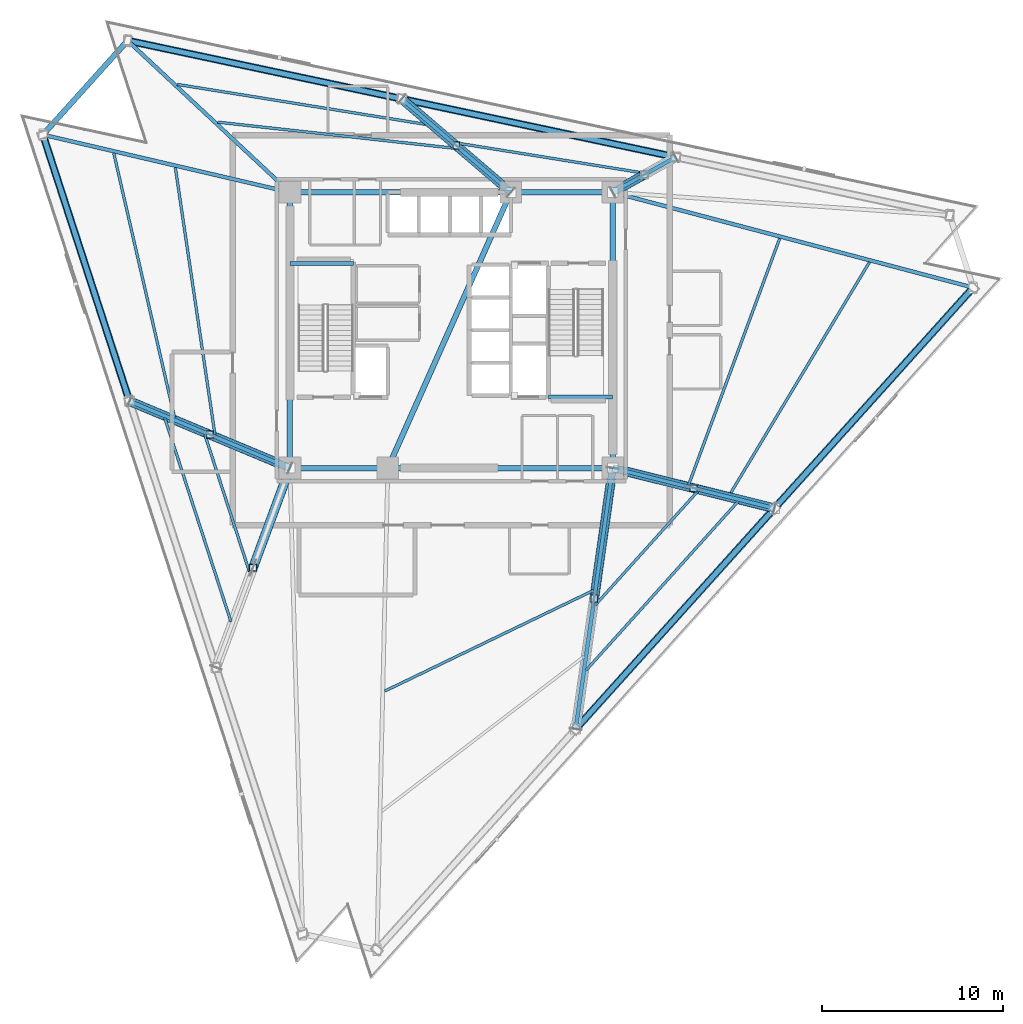
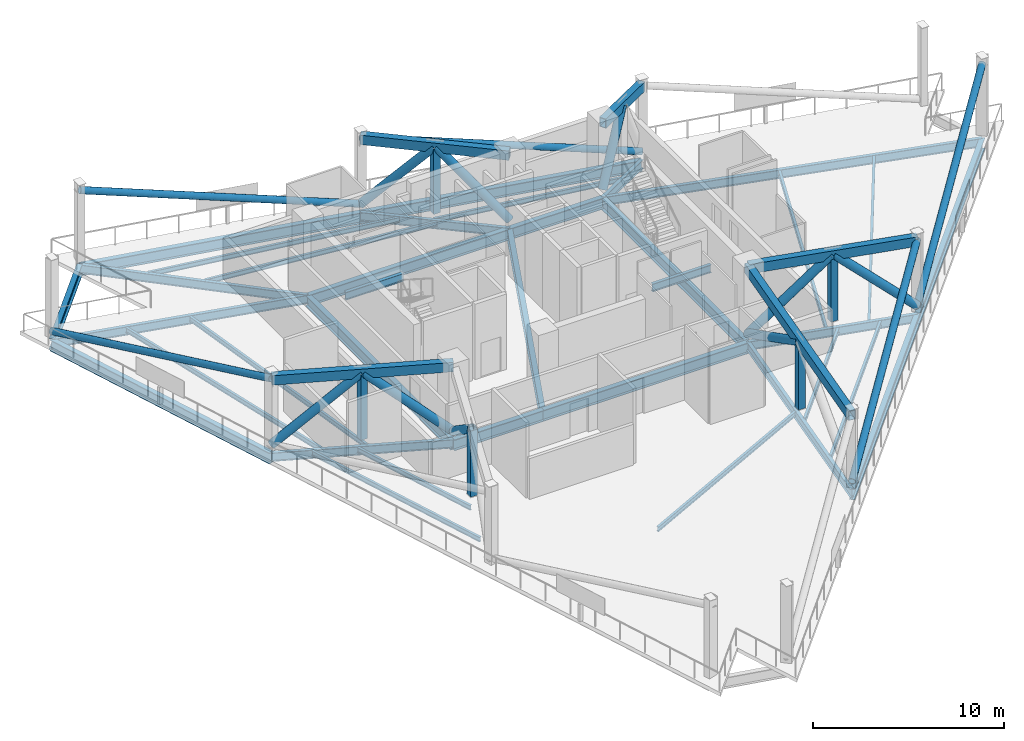
# One storey, part 2 of 15: 35 beams, 24 members.
"""IFC4 building model written with IfcOpenShell, lengths in metres."""

from ifc_helpers import new_model, si_unit, direction, frame, origin, origin_2d, place, context, subcontext, project, spatial, hollow_rectangle, hollow_circle, i_section, extrude, material, material_profile, profile_set, type_object, element, save


model = new_model("IFC4")

# Units and contexts
model_context = context("Model", 3, precision=1e-05, world=origin(), true_north=direction((0.0, 1.0)))
body_context = subcontext(model_context, "Body", "Model", "MODEL_VIEW")
ifc_project = project(units=[si_unit("LENGTHUNIT", "METRE"), si_unit("AREAUNIT", "SQUARE_METRE"), si_unit("VOLUMEUNIT", "CUBIC_METRE"), si_unit("PLANEANGLEUNIT", "RADIAN"), si_unit("MASSUNIT", "GRAM", prefix="KILO")], contexts=[model_context])

# Site, building, storey
site_placement = place(None, origin())
site = spatial("IfcSite", under=ifc_project, at=site_placement, CompositionType="ELEMENT")
building_placement = place(site_placement, origin())
building = spatial("IfcBuilding", under=site, at=building_placement, Name="Tharavind Bronze Gate", CompositionType="ELEMENT")
storey_placement = place(building_placement, frame((0.0, 0.0, 222.050048828125)))
storey = spatial("IfcBuildingStorey", under=building, at=storey_placement, Name="L57", CompositionType="ELEMENT", Elevation=222.050048828125)

# Members
ifc_material_1 = material(Name="Steel S460", Category="steel")
ifc_material_profile_1 = material_profile(ifc_material_1, hollow_circle(Radius=0.203125, WallThickness=0.02001953125, at=origin_2d()), Name="CHS406X20")
ifc_profile_set_1 = profile_set([ifc_material_profile_1], Name="Steel S460")
member_type_1 = type_object("IfcMemberType", Name="BELT TRUSS BRACE CHS406", PredefinedType="BRACE", material=ifc_profile_set_1)
member_1_placement = place(storey_placement, frame((-22.515380859375, 10.77685546875, 0.25), z_axis=(0.298129606941, -0.917584643227, 0.262977489493), x_axis=(0.951060085279, 0.309006009957, 0.0)))
element("IfcMember", 1, at=member_1_placement, inside=storey, type_object=member_type_1, Name="L57 belt truss brace 1.1", PredefinedType="BRACE", context=body_context, shape_type="SweptSolid", body=[
    extrude(hollow_circle(Radius=0.203125, WallThickness=0.02001953125, at=origin_2d()), origin(), (0.0, 0.0, 1.0), 16.0087890625),
])
for number, where, z_axis, x_axis, name in (
    (2, (6.857421875, -21.992431640625, 0.25), (0.648062389403, 0.719737226223, 0.248984868277), (-0.743140676906, 0.669135213786, 0.0), "L57 belt truss brace 2.2"),
    (3, (17.815185546875, -9.82275390625, 0.25), (0.648047279671, 0.719750920125, 0.248984610549), (-0.743154765248, 0.669119566961, 0.0), "L57 belt truss brace 2.3"),
):
    element("IfcMember", number, at=place(storey_placement, frame(where, z_axis=z_axis, x_axis=x_axis)), inside=storey, type_object=member_type_1, Name=name, PredefinedType="BRACE", context=body_context, shape_type="SweptSolid", body=[
        extrude(hollow_circle(Radius=0.203125, WallThickness=0.02001953125, at=origin_2d()), origin(), (0.0, 0.0, 1.0), 16.908447265625),
    ])
for number, where, z_axis, x_axis, name in (
    (4, (12.370849609375, 9.54150390625, 0.25), (-0.943720308557, 0.200587460303, 0.26297651984), (-0.207905261111, -0.978148967388, 0.0), "L57 belt truss brace 3.2"),
    (5, (-2.737060546875, 12.752685546875, 0.25), (-0.943720308557, 0.200587460303, 0.26297651984), (-0.207905261111, -0.978148967388, 0.0), "L57 belt truss brace 3.3"),
):
    element("IfcMember", number, at=place(storey_placement, frame(where, z_axis=z_axis, x_axis=x_axis)), inside=storey, type_object=member_type_1, Name=name, PredefinedType="BRACE", context=body_context, shape_type="SweptSolid", body=[
        extrude(hollow_circle(Radius=0.203125, WallThickness=0.02001953125, at=origin_2d()), origin(), (0.0, 0.0, 1.0), 16.0087890625),
    ])
ifc_material_profile_2 = material_profile(ifc_material_1, hollow_rectangle(XDim=0.39990234375, YDim=0.60009765625, WallThickness=0.030029296875, at=origin_2d()), Name="RHS600X400X30")
ifc_profile_set_2 = profile_set([ifc_material_profile_2], Name="Steel S460")
member_type_2 = type_object("IfcMemberType", Name="OUTRIGGER CHORD RHS600", PredefinedType="CHORD", material=ifc_profile_set_2)
member_2_placement = place(storey_placement, frame((-8.89990234375, -7.60009765625, 4.4599609375), z_axis=(-0.922965305367, 0.38488315771, 0.0), x_axis=(-0.38488315771, -0.922965305367, 0.0)))
element("IfcMember", 6, at=member_2_placement, inside=storey, type_object=member_type_2, Name="L57 outrigger top chord 1", PredefinedType="CHORD", context=body_context, shape_type="SweptSolid", body=[
    extrude(hollow_rectangle(XDim=0.39990234375, YDim=0.60009765625, WallThickness=0.030029296875, at=origin_2d()), origin(), (0.0, 0.0, 1.0), 9.580810546875),
])
member_3_placement = place(storey_placement, frame((8.89990234375, -7.60009765625, 4.4599609375), z_axis=(-0.140506642307, -0.990079735914, 0.0), x_axis=(0.990079735914, -0.140506642307, 0.0)))
element("IfcMember", 7, at=member_3_placement, inside=storey, type_object=member_type_2, Name="L57 outrigger top chord 3", PredefinedType="CHORD", context=body_context, shape_type="SweptSolid", body=[
    extrude(hollow_rectangle(XDim=0.39990234375, YDim=0.60009765625, WallThickness=0.030029296875, at=origin_2d()), origin(), (0.0, 0.0, 1.0), 14.53662109375),
])
member_4_placement = place(storey_placement, frame((8.89990234375, -7.60009765625, 4.4599609375), z_axis=(0.970300158772, -0.241904117136, 0.0), x_axis=(0.241904117136, 0.970300158772, 0.0)))
element("IfcMember", 8, at=member_4_placement, inside=storey, type_object=member_type_2, Name="L57 outrigger top chord 4", PredefinedType="CHORD", context=body_context, shape_type="SweptSolid", body=[
    extrude(hollow_rectangle(XDim=0.39990234375, YDim=0.60009765625, WallThickness=0.030029296875, at=origin_2d()), origin(), (0.0, 0.0, 1.0), 9.188232421875),
])
member_5_placement = place(storey_placement, frame((8.89990234375, 7.60009765625, 4.4599609375), z_axis=(0.872755044117, 0.488158409708, 0.0), x_axis=(-0.488158409708, 0.872755044117, 0.0)))
element("IfcMember", 9, at=member_5_placement, inside=storey, type_object=member_type_2, Name="L57 outrigger top chord 5", PredefinedType="CHORD", context=body_context, shape_type="SweptSolid", body=[
    extrude(hollow_rectangle(XDim=0.39990234375, YDim=0.60009765625, WallThickness=0.030029296875, at=origin_2d()), origin(), (0.0, 0.0, 1.0), 3.97705078125),
])
member_6_placement = place(storey_placement, frame((3.280029296875, 7.60009765625, 4.4599609375), z_axis=(-0.75956325699, 0.650433439048, 0.0), x_axis=(-0.650433439048, -0.75956325699, 0.0)))
element("IfcMember", 10, at=member_6_placement, inside=storey, type_object=member_type_2, Name="L57 outrigger top chord 6", PredefinedType="CHORD", context=body_context, shape_type="SweptSolid", body=[
    extrude(hollow_rectangle(XDim=0.39990234375, YDim=0.60009765625, WallThickness=0.030029296875, at=origin_2d()), origin(), (0.0, 0.0, 1.0), 7.921875),
])
ifc_material_profile_3 = material_profile(ifc_material_1, hollow_circle(Radius=0.25390625, WallThickness=0.031982421875, at=origin_2d()), Name="CHS508X32")
ifc_profile_set_3 = profile_set([ifc_material_profile_3], Name="Steel S460")
member_type_3 = type_object("IfcMemberType", Name="OUTRIGGER DIAGONAL BRACE CHS508", PredefinedType="BRACE", material=ifc_profile_set_3)
for number, where, z_axis, x_axis, name in (
    (11, (-8.89990234375, -7.60009765625, 0.25), (-0.693284613686, 0.28910466055, 0.660132516753), (-0.38488315771, -0.922965305367, 0.0), "L57 outrigger diagonal brace 1.1"),
    (12, (-13.3212890625, -5.75634765625, 4.4599609375), (-0.693284613686, 0.28910466055, -0.660132516753), (-0.38488315771, -0.922965305367, 0.0), "L57 outrigger diagonal brace 1.2"),
):
    element("IfcMember", number, at=place(storey_placement, frame(where, z_axis=z_axis, x_axis=x_axis)), inside=storey, type_object=member_type_3, Name=name, PredefinedType="BRACE", context=body_context, shape_type="SweptSolid", body=[
        extrude(hollow_circle(Radius=0.25390625, WallThickness=0.031982421875, at=origin_2d()), origin(), (0.0, 0.0, 1.0), 6.37744140625),
    ])
member_7_placement = place(storey_placement, frame((-8.89990234375, -7.60009765625, 0.25), z_axis=(-0.281851942833, -0.761930171074, 0.583113965472), x_axis=(0.937886765995, -0.34694151405, 0.0)))
element("IfcMember", 13, at=member_7_placement, inside=storey, type_object=member_type_3, Name="L57 outrigger diagonal brace 2.1", PredefinedType="BRACE", context=body_context, shape_type="SweptSolid", body=[
    extrude(hollow_circle(Radius=0.25390625, WallThickness=0.031982421875, at=origin_2d()), origin(), (0.0, 0.0, 1.0), 7.2197265625),
])
member_8_placement = place(storey_placement, frame((8.89990234375, -7.60009765625, 0.25), z_axis=(-0.121582009012, -0.85674188325, 0.501209697203), x_axis=(0.990080067474, -0.140504305952, 0.0)))
element("IfcMember", 14, at=member_8_placement, inside=storey, type_object=member_type_3, Name="L57 outrigger diagonal brace 3.1", PredefinedType="BRACE", context=body_context, shape_type="SweptSolid", body=[
    extrude(hollow_circle(Radius=0.25390625, WallThickness=0.031982421875, at=origin_2d()), origin(), (0.0, 0.0, 1.0), 8.399658203125),
])
member_9_placement = place(storey_placement, frame((8.89990234375, -7.60009765625, 0.25), z_axis=(0.715355781746, -0.178310010008, 0.675626854005), x_axis=(0.241860319361, 0.970311076881, 0.0)))
element("IfcMember", 15, at=member_9_placement, inside=storey, type_object=member_type_3, Name="L57 outrigger diagonal brace 4.1", PredefinedType="BRACE", context=body_context, shape_type="SweptSolid", body=[
    extrude(hollow_circle(Radius=0.25390625, WallThickness=0.031982421875, at=origin_2d()), origin(), (0.0, 0.0, 1.0), 6.231201171875),
])
member_10_placement = place(storey_placement, frame((13.357421875, -8.711181640625, 4.4599609375), z_axis=(0.715364914391, -0.178380878209, -0.675598476573), x_axis=(0.241947911034, 0.970289239529, 0.0)))
element("IfcMember", 16, at=member_10_placement, inside=storey, type_object=member_type_3, Name="L57 outrigger diagonal brace 4.2", PredefinedType="BRACE", context=body_context, shape_type="SweptSolid", body=[
    extrude(hollow_circle(Radius=0.25390625, WallThickness=0.031982421875, at=origin_2d()), origin(), (0.0, 0.0, 1.0), 6.2314453125),
])
member_11_placement = place(storey_placement, frame((8.89990234375, 7.60009765625, 0.25), z_axis=(0.372765468104, 0.208484386156, 0.9042013971), x_axis=(-0.488132256924, 0.872769671649, 0.0)))
element("IfcMember", 17, at=member_11_placement, inside=storey, type_object=member_type_3, Name="L57 outrigger diagonal brace 5.1", PredefinedType="BRACE", context=body_context, shape_type="SweptSolid", body=[
    extrude(hollow_circle(Radius=0.25390625, WallThickness=0.031982421875, at=origin_2d()), origin(), (0.0, 0.0, 1.0), 4.656005859375),
])
member_12_placement = place(storey_placement, frame((3.280029296875, 7.60009765625, 0.25), z_axis=(-0.520483211124, 0.445681964114, 0.728330154396), x_axis=(-0.650415657954, -0.759578483034, 0.0)))
element("IfcMember", 18, at=member_12_placement, inside=storey, type_object=member_type_3, Name="L57 outrigger diagonal brace 6.1", PredefinedType="BRACE", context=body_context, shape_type="SweptSolid", body=[
    extrude(hollow_circle(Radius=0.25390625, WallThickness=0.031982421875, at=origin_2d()), origin(), (0.0, 0.0, 1.0), 5.7802734375),
])
member_13_placement = place(storey_placement, frame((0.271484375, 10.17626953125, 4.4599609375), z_axis=(-0.520473413283, 0.445715810304, -0.728316443938), x_axis=(-0.650451219072, -0.75954803114, 0.0)))
element("IfcMember", 19, at=member_13_placement, inside=storey, type_object=member_type_3, Name="L57 outrigger diagonal brace 6.2", PredefinedType="BRACE", context=body_context, shape_type="SweptSolid", body=[
    extrude(hollow_circle(Radius=0.25390625, WallThickness=0.031982421875, at=origin_2d()), origin(), (0.0, 0.0, 1.0), 5.780517578125),
])
ifc_material_profile_4 = material_profile(ifc_material_1, hollow_rectangle(XDim=0.39990234375, YDim=0.39990234375, WallThickness=0.02490234375, at=origin_2d()), Name="SHS400X25")
ifc_profile_set_4 = profile_set([ifc_material_profile_4], Name="Steel S460")
member_type_4 = type_object("IfcMemberType", Name="OUTRIGGER VERTICAL STRUT SHS400", PredefinedType="STRUT", material=ifc_profile_set_4)
for number, where, z_axis, x_axis, name in (
    (20, (-13.3212890625, -5.75634765625, 0.25), (0.0, 0.0, 1.0), (1.0, 0.0, 0.0), "L57 outrigger vertical strut 1"),
    (21, (-10.934814453125, -13.10107421875, 0.25), (0.0, 0.0, 1.0), (1.0, 0.0, 0.0), "L57 outrigger vertical strut 2"),
    (22, (7.878662109375, -14.79638671875, 0.25), (0.0, 0.0, 1.0), (1.0, 0.0, 0.0), "L57 outrigger vertical strut 3"),
    (23, (13.357421875, -8.711181640625, 0.25), (0.0, 0.0, 1.0), (1.0, 0.0, 0.0), "L57 outrigger vertical strut 4"),
    (24, (0.271484375, 10.17626953125, 0.25), (0.0, 0.0, 1.0), (1.0, 0.0, 0.0), "L57 outrigger vertical strut 6"),
):
    element("IfcMember", number, at=place(storey_placement, frame(where, z_axis=z_axis, x_axis=x_axis)), inside=storey, type_object=member_type_4, Name=name, PredefinedType="STRUT", context=body_context, shape_type="SweptSolid", body=[
        extrude(hollow_rectangle(XDim=0.39990234375, YDim=0.39990234375, WallThickness=0.02490234375, at=origin_2d()), origin(), (0.0, 0.0, 1.0), 4.2099609375),
    ])

# Beams
ifc_material_2 = material(Name="Steel S355", Category="steel")
ifc_material_profile_5 = material_profile(ifc_material_2, i_section(OverallWidth=0.199951171875, OverallDepth=0.5, WebThickness=0.01025390625, FlangeThickness=0.01611328125, at=origin_2d()), Name="IPE500")
ifc_profile_set_5 = profile_set([ifc_material_profile_5], Name="Steel S355")
beam_type_1 = type_object("IfcBeamType", Name="PRIMARY GIRDER IPE500", PredefinedType="USERDEFINED", material=ifc_profile_set_5)
beam_1_placement = place(storey_placement, frame((-8.89990234375, 3.679931640625, 2.050048828125), z_axis=(1.0, 0.0, 0.0), x_axis=(0.0, 1.0, 0.0)))
element("IfcBeam", 25, at=beam_1_placement, inside=storey, type_object=beam_type_1, Name="L57 primary girder ipe500 BM-LD-ST1-L57-1", ObjectType="GIRDER", PredefinedType="USERDEFINED", context=body_context, shape_type="SweptSolid", body=[
    extrude(i_section(OverallWidth=0.199951171875, OverallDepth=0.5, WebThickness=0.01025390625, FlangeThickness=0.01611328125, at=origin_2d()), origin(), (0.0, 0.0, 1.0), 3.5),
])
beam_2_placement = place(storey_placement, frame((5.35009765625, -3.679931640625, 2.050048828125), z_axis=(1.0, 0.0, 0.0), x_axis=(0.0, 1.0, 0.0)))
element("IfcBeam", 26, at=beam_2_placement, inside=storey, type_object=beam_type_1, Name="L57 primary girder ipe500 BM-LD-ST2-L57-1", ObjectType="GIRDER", PredefinedType="USERDEFINED", context=body_context, shape_type="SweptSolid", body=[
    extrude(i_section(OverallWidth=0.199951171875, OverallDepth=0.5, WebThickness=0.01025390625, FlangeThickness=0.01611328125, at=origin_2d()), origin(), (0.0, 0.0, 1.0), 3.5498046875),
])
ifc_material_profile_6 = material_profile(ifc_material_2, i_section(OverallWidth=0.2099609375, OverallDepth=0.550048828125, WebThickness=0.010986328125, FlangeThickness=0.01708984375, at=origin_2d()), Name="IPE550")
ifc_profile_set_6 = profile_set([ifc_material_profile_6], Name="Steel S355")
beam_type_2 = type_object("IfcBeamType", Name="PRIMARY GIRDER IPE550", PredefinedType="USERDEFINED", material=ifc_profile_set_6)
beam_3_placement = place(storey_placement, frame((-22.515380859375, 10.77685546875, -0.51513671875), z_axis=(0.973844172145, -0.227216919219, 0.0), x_axis=(0.227216919219, 0.973844172145, 0.0)))
element("IfcBeam", 27, at=beam_3_placement, inside=storey, type_object=beam_type_2, Name="L57 primary girder ipe550 BM-L57-RAD01", ObjectType="GIRDER", PredefinedType="USERDEFINED", context=body_context, shape_type="SweptSolid", body=[
    extrude(i_section(OverallWidth=0.2099609375, OverallDepth=0.550048828125, WebThickness=0.010986328125, FlangeThickness=0.01708984375, at=origin_2d()), origin(), (0.0, 0.0, 1.0), 13.981201171875),
])
beam_4_placement = place(storey_placement, frame((-17.74267578125, -3.91259765625, -0.51513671875), z_axis=(0.922965305367, -0.38488315771, 0.0), x_axis=(0.38488315771, 0.922965305367, 0.0)))
element("IfcBeam", 28, at=beam_4_placement, inside=storey, type_object=beam_type_2, Name="L57 primary girder ipe550 BM-L57-RAD02", ObjectType="GIRDER", PredefinedType="USERDEFINED", context=body_context, shape_type="SweptSolid", body=[
    extrude(i_section(OverallWidth=0.2099609375, OverallDepth=0.550048828125, WebThickness=0.010986328125, FlangeThickness=0.01708984375, at=origin_2d()), origin(), (0.0, 0.0, 1.0), 9.580810546875),
])
beam_5_placement = place(storey_placement, frame((6.857421875, -21.992431640625, -0.51513671875), z_axis=(0.140506642307, 0.990079735914, 0.0), x_axis=(-0.990079735914, 0.140506642307, 0.0)))
element("IfcBeam", 29, at=beam_5_placement, inside=storey, type_object=beam_type_2, Name="L57 primary girder ipe550 BM-L57-RAD06", ObjectType="GIRDER", PredefinedType="USERDEFINED", context=body_context, shape_type="SweptSolid", body=[
    extrude(i_section(OverallWidth=0.2099609375, OverallDepth=0.550048828125, WebThickness=0.010986328125, FlangeThickness=0.01708984375, at=origin_2d()), origin(), (0.0, 0.0, 1.0), 14.53662109375),
])
beam_6_placement = place(storey_placement, frame((17.815185546875, -9.82275390625, -0.51513671875), z_axis=(-0.970300158772, 0.241904117136, 0.0), x_axis=(-0.241904117136, -0.970300158772, 0.0)))
element("IfcBeam", 30, at=beam_6_placement, inside=storey, type_object=beam_type_2, Name="L57 primary girder ipe550 BM-L57-RAD07", ObjectType="GIRDER", PredefinedType="USERDEFINED", context=body_context, shape_type="SweptSolid", body=[
    extrude(i_section(OverallWidth=0.2099609375, OverallDepth=0.550048828125, WebThickness=0.010986328125, FlangeThickness=0.01708984375, at=origin_2d()), origin(), (0.0, 0.0, 1.0), 9.188232421875),
])
beam_7_placement = place(storey_placement, frame((28.772705078125, 2.34716796875, -0.51513671875), z_axis=(-0.966795643793, 0.255550744749, 0.0), x_axis=(-0.255550744749, -0.966795643793, 0.0)))
element("IfcBeam", 31, at=beam_7_placement, inside=storey, type_object=beam_type_2, Name="L57 primary girder ipe550 BM-L57-RAD08", ObjectType="GIRDER", PredefinedType="USERDEFINED", context=body_context, shape_type="SweptSolid", body=[
    extrude(i_section(OverallWidth=0.2099609375, OverallDepth=0.550048828125, WebThickness=0.010986328125, FlangeThickness=0.01708984375, at=origin_2d()), origin(), (0.0, 0.0, 1.0), 20.555419921875),
])
beam_8_placement = place(storey_placement, frame((12.370849609375, 9.54150390625, -0.51513671875), z_axis=(-0.872755044117, -0.488158409708, 0.0), x_axis=(0.488158409708, -0.872755044117, 0.0)))
element("IfcBeam", 32, at=beam_8_placement, inside=storey, type_object=beam_type_2, Name="L57 primary girder ipe550 BM-L57-RAD10", ObjectType="GIRDER", PredefinedType="USERDEFINED", context=body_context, shape_type="SweptSolid", body=[
    extrude(i_section(OverallWidth=0.2099609375, OverallDepth=0.550048828125, WebThickness=0.010986328125, FlangeThickness=0.01708984375, at=origin_2d()), origin(), (0.0, 0.0, 1.0), 3.97705078125),
])
beam_9_placement = place(storey_placement, frame((-2.737060546875, 12.752685546875, -0.51513671875), z_axis=(0.75956325699, -0.650433439048, 0.0), x_axis=(0.650433439048, 0.75956325699, 0.0)))
element("IfcBeam", 33, at=beam_9_placement, inside=storey, type_object=beam_type_2, Name="L57 primary girder ipe550 BM-L57-RAD11", ObjectType="GIRDER", PredefinedType="USERDEFINED", context=body_context, shape_type="SweptSolid", body=[
    extrude(i_section(OverallWidth=0.2099609375, OverallDepth=0.550048828125, WebThickness=0.010986328125, FlangeThickness=0.01708984375, at=origin_2d()), origin(), (0.0, 0.0, 1.0), 7.921875),
])
beam_10_placement = place(storey_placement, frame((-17.844970703125, 15.9638671875, -0.51513671875), z_axis=(0.730442397204, -0.682974307252, 0.0), x_axis=(0.682974307252, 0.730442397204, 0.0)))
element("IfcBeam", 34, at=beam_10_placement, inside=storey, type_object=beam_type_2, Name="L57 primary girder ipe550 BM-L57-RAD12", ObjectType="GIRDER", PredefinedType="USERDEFINED", context=body_context, shape_type="SweptSolid", body=[
    extrude(i_section(OverallWidth=0.2099609375, OverallDepth=0.550048828125, WebThickness=0.010986328125, FlangeThickness=0.01708984375, at=origin_2d()), origin(), (0.0, 0.0, 1.0), 12.24609375),
])
ifc_material_profile_7 = material_profile(ifc_material_2, i_section(OverallWidth=0.300048828125, OverallDepth=0.699951171875, WebThickness=0.01708984375, FlangeThickness=0.031982421875, at=origin_2d()), Name="HE700B")
ifc_profile_set_7 = profile_set([ifc_material_profile_7], Name="Steel S355")
beam_type_3 = type_object("IfcBeamType", Name="RING GIRDER HE700B", PredefinedType="USERDEFINED", material=ifc_profile_set_7)
beam_11_placement = place(storey_placement, frame((-8.89990234375, -7.60009765625, -0.590087890625), z_axis=(1.0, 0.0, 0.0), x_axis=(0.0, 1.0, 0.0)))
element("IfcBeam", 35, at=beam_11_placement, inside=storey, type_object=beam_type_3, Name="L57 ring girder he700b BM-L57-CR1", ObjectType="GIRDER", PredefinedType="USERDEFINED", context=body_context, shape_type="SweptSolid", body=[
    extrude(i_section(OverallWidth=0.300048828125, OverallDepth=0.699951171875, WebThickness=0.01708984375, FlangeThickness=0.031982421875, at=origin_2d()), origin(), (0.0, 0.0, 1.0), 5.39990234375),
])
beam_12_placement = place(storey_placement, frame((-3.5, -7.60009765625, -0.590087890625), z_axis=(1.0, 0.0, 0.0), x_axis=(0.0, 1.0, 0.0)))
element("IfcBeam", 36, at=beam_12_placement, inside=storey, type_object=beam_type_3, Name="L57 ring girder he700b BM-L57-CR2", ObjectType="GIRDER", PredefinedType="USERDEFINED", context=body_context, shape_type="SweptSolid", body=[
    extrude(i_section(OverallWidth=0.300048828125, OverallDepth=0.699951171875, WebThickness=0.01708984375, FlangeThickness=0.031982421875, at=origin_2d()), origin(), (0.0, 0.0, 1.0), 12.39990234375),
])
beam_13_placement = place(storey_placement, frame((8.89990234375, -7.60009765625, -0.590087890625), z_axis=(0.0, 1.0, 0.0), x_axis=(-1.0, 0.0, 0.0)))
element("IfcBeam", 37, at=beam_13_placement, inside=storey, type_object=beam_type_3, Name="L57 ring girder he700b BM-L57-CR3", ObjectType="GIRDER", PredefinedType="USERDEFINED", context=body_context, shape_type="SweptSolid", body=[
    extrude(i_section(OverallWidth=0.300048828125, OverallDepth=0.699951171875, WebThickness=0.01708984375, FlangeThickness=0.031982421875, at=origin_2d()), origin(), (0.0, 0.0, 1.0), 15.2001953125),
])
beam_14_placement = place(storey_placement, frame((8.89990234375, 7.60009765625, -0.590087890625), z_axis=(-1.0, 0.0, 0.0), x_axis=(0.0, -1.0, 0.0)))
element("IfcBeam", 38, at=beam_14_placement, inside=storey, type_object=beam_type_3, Name="L57 ring girder he700b BM-L57-CR4", ObjectType="GIRDER", PredefinedType="USERDEFINED", context=body_context, shape_type="SweptSolid", body=[
    extrude(i_section(OverallWidth=0.300048828125, OverallDepth=0.699951171875, WebThickness=0.01708984375, FlangeThickness=0.031982421875, at=origin_2d()), origin(), (0.0, 0.0, 1.0), 5.619873046875),
])
beam_15_placement = place(storey_placement, frame((3.280029296875, 7.60009765625, -0.590087890625), z_axis=(-1.0, 0.0, 0.0), x_axis=(0.0, -1.0, 0.0)))
element("IfcBeam", 39, at=beam_15_placement, inside=storey, type_object=beam_type_3, Name="L57 ring girder he700b BM-L57-CR5", ObjectType="GIRDER", PredefinedType="USERDEFINED", context=body_context, shape_type="SweptSolid", body=[
    extrude(i_section(OverallWidth=0.300048828125, OverallDepth=0.699951171875, WebThickness=0.01708984375, FlangeThickness=0.031982421875, at=origin_2d()), origin(), (0.0, 0.0, 1.0), 12.179931640625),
])
beam_16_placement = place(storey_placement, frame((-8.89990234375, 7.60009765625, -0.590087890625), z_axis=(0.0, -1.0, 0.0), x_axis=(1.0, 0.0, 0.0)))
element("IfcBeam", 40, at=beam_16_placement, inside=storey, type_object=beam_type_3, Name="L57 ring girder he700b BM-L57-CR6", ObjectType="GIRDER", PredefinedType="USERDEFINED", context=body_context, shape_type="SweptSolid", body=[
    extrude(i_section(OverallWidth=0.300048828125, OverallDepth=0.699951171875, WebThickness=0.01708984375, FlangeThickness=0.031982421875, at=origin_2d()), origin(), (0.0, 0.0, 1.0), 15.2001953125),
])
beam_17_placement = place(storey_placement, frame((-3.5, -7.60009765625, -0.590087890625), z_axis=(0.407361644566, 0.913266932795, 0.0), x_axis=(-0.913266932795, 0.407361644566, 0.0)))
element("IfcBeam", 41, at=beam_17_placement, inside=storey, type_object=beam_type_3, Name="L57 ring girder he700b BM-L57-CR7", ObjectType="GIRDER", PredefinedType="USERDEFINED", context=body_context, shape_type="SweptSolid", body=[
    extrude(i_section(OverallWidth=0.300048828125, OverallDepth=0.699951171875, WebThickness=0.01708984375, FlangeThickness=0.031982421875, at=origin_2d()), origin(), (0.0, 0.0, 1.0), 16.643798828125),
])
beam_18_placement = place(storey_placement, frame((-22.515380859375, 10.77685546875, -0.590087890625), z_axis=(0.309006009957, -0.951060085279, 0.0), x_axis=(0.951060085279, 0.309006009957, 0.0)))
element("IfcBeam", 42, at=beam_18_placement, inside=storey, type_object=beam_type_3, Name="L57 ring girder he700b BM-L57-PRG01", ObjectType="GIRDER", PredefinedType="USERDEFINED", context=body_context, shape_type="SweptSolid", body=[
    extrude(i_section(OverallWidth=0.300048828125, OverallDepth=0.699951171875, WebThickness=0.01708984375, FlangeThickness=0.031982421875, at=origin_2d()), origin(), (0.0, 0.0, 1.0), 15.4453125),
])
for number, where, z_axis, x_axis, name in (
    (43, (6.857421875, -21.992431640625, -0.590087890625), (0.669135213786, 0.743140676906, 0.0), (-0.743140676906, 0.669135213786, 0.0), "L57 ring girder he700b BM-L57-PRG06"),
    (44, (17.815185546875, -9.82275390625, -0.590087890625), (0.669119566961, 0.743154765248, 0.0), (-0.743154765248, 0.669119566961, 0.0), "L57 ring girder he700b BM-L57-PRG07"),
):
    element("IfcBeam", number, at=place(storey_placement, frame(where, z_axis=z_axis, x_axis=x_axis)), inside=storey, type_object=beam_type_3, Name=name, ObjectType="GIRDER", PredefinedType="USERDEFINED", context=body_context, shape_type="SweptSolid", body=[
        extrude(i_section(OverallWidth=0.300048828125, OverallDepth=0.699951171875, WebThickness=0.01708984375, FlangeThickness=0.031982421875, at=origin_2d()), origin(), (0.0, 0.0, 1.0), 16.3759765625),
    ])
for number, where, z_axis, x_axis, name in (
    (45, (12.370849609375, 9.54150390625, -0.590087890625), (-0.978148967388, 0.207905261111, 0.0), (-0.207905261111, -0.978148967388, 0.0), "L57 ring girder he700b BM-L57-PRG10"),
    (46, (-2.737060546875, 12.752685546875, -0.590087890625), (-0.978148967388, 0.207905261111, 0.0), (-0.207905261111, -0.978148967388, 0.0), "L57 ring girder he700b BM-L57-PRG11"),
):
    element("IfcBeam", number, at=place(storey_placement, frame(where, z_axis=z_axis, x_axis=x_axis)), inside=storey, type_object=beam_type_3, Name=name, ObjectType="GIRDER", PredefinedType="USERDEFINED", context=body_context, shape_type="SweptSolid", body=[
        extrude(i_section(OverallWidth=0.300048828125, OverallDepth=0.699951171875, WebThickness=0.01708984375, FlangeThickness=0.031982421875, at=origin_2d()), origin(), (0.0, 0.0, 1.0), 15.4453125),
    ])
beam_19_placement = place(storey_placement, frame((-17.844970703125, 15.9638671875, -0.590087890625), z_axis=(-0.669130909152, -0.743144552841, 0.0), x_axis=(0.743144552841, -0.669130909152, 0.0)))
element("IfcBeam", 47, at=beam_19_placement, inside=storey, type_object=beam_type_3, Name="L57 ring girder he700b BM-L57-PRG12", ObjectType="GIRDER", PredefinedType="USERDEFINED", context=body_context, shape_type="SweptSolid", body=[
    extrude(i_section(OverallWidth=0.300048828125, OverallDepth=0.699951171875, WebThickness=0.01708984375, FlangeThickness=0.031982421875, at=origin_2d()), origin(), (0.0, 0.0, 1.0), 6.979736328125),
])
ifc_material_profile_8 = material_profile(ifc_material_2, i_section(OverallWidth=0.14990234375, OverallDepth=0.300048828125, WebThickness=0.007080078125, FlangeThickness=0.0107421875, at=origin_2d()), Name="IPE300")
ifc_profile_set_8 = profile_set([ifc_material_profile_8], Name="Steel S355")
beam_type_4 = type_object("IfcBeamType", Name="SECONDARY FLOOR JOIST IPE300", PredefinedType="JOIST", material=ifc_profile_set_8)
beam_20_placement = place(storey_placement, frame((-15.214111328125, 8.961669921875, -0.39013671875), z_axis=(0.146719879942, -0.989178081454, 0.0), x_axis=(0.989178081454, 0.146719879942, 0.0)))
element("IfcBeam", 48, at=beam_20_placement, inside=storey, type_object=beam_type_4, Name="L57 secondary floor joist ipe300 BM-L57-JSTA01", PredefinedType="JOIST", context=body_context, shape_type="SweptSolid", body=[
    extrude(i_section(OverallWidth=0.14990234375, OverallDepth=0.300048828125, WebThickness=0.007080078125, FlangeThickness=0.0107421875, at=origin_2d()), origin(), (0.0, 0.0, 1.0), 14.8828125),
])
beam_21_placement = place(storey_placement, frame((-18.60791015625, 9.753662109375, -0.39013671875), z_axis=(0.224186420064, -0.974546278562, 0.0), x_axis=(0.974546278562, 0.224186420064, 0.0)))
element("IfcBeam", 49, at=beam_21_placement, inside=storey, type_object=beam_type_4, Name="L57 secondary floor joist ipe300 BM-L57-JSTB01", PredefinedType="JOIST", context=body_context, shape_type="SweptSolid", body=[
    extrude(i_section(OverallWidth=0.14990234375, OverallDepth=0.300048828125, WebThickness=0.007080078125, FlangeThickness=0.0107421875, at=origin_2d()), origin(), (0.0, 0.0, 1.0), 14.968505859375),
])
beam_22_placement = place(storey_placement, frame((-13.5869140625, -5.7626953125, -0.39013671875), z_axis=(0.309039532328, -0.951049192975, 0.0), x_axis=(0.951049192975, 0.309039532328, 0.0)))
element("IfcBeam", 50, at=beam_22_placement, inside=storey, type_object=beam_type_4, Name="L57 secondary floor joist ipe300 BM-L57-JSTA02", PredefinedType="JOIST", context=body_context, shape_type="SweptSolid", body=[
    extrude(i_section(OverallWidth=0.14990234375, OverallDepth=0.300048828125, WebThickness=0.007080078125, FlangeThickness=0.0107421875, at=origin_2d()), origin(), (0.0, 0.0, 1.0), 7.947265625),
])
beam_23_placement = place(storey_placement, frame((-15.79736328125, -4.8408203125, -0.39013671875), z_axis=(0.309005195331, -0.951060349956, 0.0), x_axis=(0.951060349956, 0.309005195331, 0.0)))
element("IfcBeam", 51, at=beam_23_placement, inside=storey, type_object=beam_type_4, Name="L57 secondary floor joist ipe300 BM-L57-JSTB02", PredefinedType="JOIST", context=body_context, shape_type="SweptSolid", body=[
    extrude(i_section(OverallWidth=0.14990234375, OverallDepth=0.300048828125, WebThickness=0.007080078125, FlangeThickness=0.0107421875, at=origin_2d()), origin(), (0.0, 0.0, 1.0), 11.80859375),
])
beam_24_placement = place(storey_placement, frame((-3.66943359375, -19.8984375, -0.39013671875), z_axis=(0.900657941829, 0.434528792855, 0.0), x_axis=(-0.434528792855, 0.900657941829, 0.0)))
element("IfcBeam", 52, at=beam_24_placement, inside=storey, type_object=beam_type_4, Name="L57 secondary floor joist ipe300 BM-L57-JSTA05", PredefinedType="JOIST", context=body_context, shape_type="SweptSolid", body=[
    extrude(i_section(OverallWidth=0.14990234375, OverallDepth=0.300048828125, WebThickness=0.007080078125, FlangeThickness=0.0107421875, at=origin_2d()), origin(), (0.0, 0.0, 1.0), 12.77099609375),
])
beam_25_placement = place(storey_placement, frame((7.935791015625, -15.1572265625, -0.39013671875), z_axis=(0.669138786469, 0.743137459991, 0.0), x_axis=(-0.743137459991, 0.669138786469, 0.0)))
element("IfcBeam", 53, at=beam_25_placement, inside=storey, type_object=beam_type_4, Name="L57 secondary floor joist ipe300 BM-L57-JSTA06", PredefinedType="JOIST", context=body_context, shape_type="SweptSolid", body=[
    extrude(i_section(OverallWidth=0.14990234375, OverallDepth=0.300048828125, WebThickness=0.007080078125, FlangeThickness=0.0107421875, at=origin_2d()), origin(), (0.0, 0.0, 1.0), 8.446044921875),
])
beam_26_placement = place(storey_placement, frame((7.425048828125, -18.75537109375, -0.39013671875), z_axis=(0.669137887746, 0.743138269222, 0.0), x_axis=(-0.743138269222, 0.669137887746, 0.0)))
element("IfcBeam", 54, at=beam_26_placement, inside=storey, type_object=beam_type_4, Name="L57 secondary floor joist ipe300 BM-L57-JSTB06", PredefinedType="JOIST", context=body_context, shape_type="SweptSolid", body=[
    extrude(i_section(OverallWidth=0.14990234375, OverallDepth=0.300048828125, WebThickness=0.007080078125, FlangeThickness=0.0107421875, at=origin_2d()), origin(), (0.0, 0.0, 1.0), 12.540283203125),
])
beam_27_placement = place(storey_placement, frame((13.08349609375, -8.53076171875, -0.39013671875), z_axis=(0.346563730463, 0.938026428587, 0.0), x_axis=(-0.938026428587, 0.346563730463, 0.0)))
element("IfcBeam", 55, at=beam_27_placement, inside=storey, type_object=beam_type_4, Name="L57 secondary floor joist ipe300 BM-L57-JSTA07", PredefinedType="JOIST", context=body_context, shape_type="SweptSolid", body=[
    extrude(i_section(OverallWidth=0.14990234375, OverallDepth=0.300048828125, WebThickness=0.007080078125, FlangeThickness=0.0107421875, at=origin_2d()), origin(), (0.0, 0.0, 1.0), 14.48291015625),
])
beam_28_placement = place(storey_placement, frame((15.3330078125, -9.091796875, -0.39013671875), z_axis=(0.515205011559, 0.857066972917, 0.0), x_axis=(-0.857066972917, 0.515205011559, 0.0)))
element("IfcBeam", 56, at=beam_28_placement, inside=storey, type_object=beam_type_4, Name="L57 secondary floor joist ipe300 BM-L57-JSTB07", PredefinedType="JOIST", context=body_context, shape_type="SweptSolid", body=[
    extrude(i_section(OverallWidth=0.14990234375, OverallDepth=0.300048828125, WebThickness=0.007080078125, FlangeThickness=0.0107421875, at=origin_2d()), origin(), (0.0, 0.0, 1.0), 14.97998046875),
])
beam_29_placement = place(storey_placement, frame((10.585693359375, 8.666015625, -0.39013671875), z_axis=(-0.987341344636, 0.158609801627, 0.0), x_axis=(-0.158609801627, -0.987341344636, 0.0)))
element("IfcBeam", 57, at=beam_29_placement, inside=storey, type_object=beam_type_4, Name="L57 secondary floor joist ipe300 BM-L57-JSTA10", PredefinedType="JOIST", context=body_context, shape_type="SweptSolid", body=[
    extrude(i_section(OverallWidth=0.14990234375, OverallDepth=0.300048828125, WebThickness=0.007080078125, FlangeThickness=0.0107421875, at=origin_2d()), origin(), (0.0, 0.0, 1.0), 10.45458984375),
])
beam_30_placement = place(storey_placement, frame((0.292724609375, 10.016845703125, -0.39013671875), z_axis=(-0.993975491992, 0.109602560737, 0.0), x_axis=(-0.109602560737, -0.993975491992, 0.0)))
element("IfcBeam", 58, at=beam_30_placement, inside=storey, type_object=beam_type_4, Name="L57 secondary floor joist ipe300 BM-L57-JSTA11", PredefinedType="JOIST", context=body_context, shape_type="SweptSolid", body=[
    extrude(i_section(OverallWidth=0.14990234375, OverallDepth=0.300048828125, WebThickness=0.007080078125, FlangeThickness=0.0107421875, at=origin_2d()), origin(), (0.0, 0.0, 1.0), 13.253662109375),
])
beam_31_placement = place(storey_placement, frame((-1.224853515625, 11.316650390625, -0.39013671875), z_axis=(-0.987305145712, 0.158834974899, 0.0), x_axis=(-0.158834974899, -0.987305145712, 0.0)))
element("IfcBeam", 59, at=beam_31_placement, inside=storey, type_object=beam_type_4, Name="L57 secondary floor joist ipe300 BM-L57-JSTB11", PredefinedType="JOIST", context=body_context, shape_type="SweptSolid", body=[
    extrude(i_section(OverallWidth=0.14990234375, OverallDepth=0.300048828125, WebThickness=0.007080078125, FlangeThickness=0.0107421875, at=origin_2d()), origin(), (0.0, 0.0, 1.0), 14.0595703125),
])

save(model, "model.ifc")
